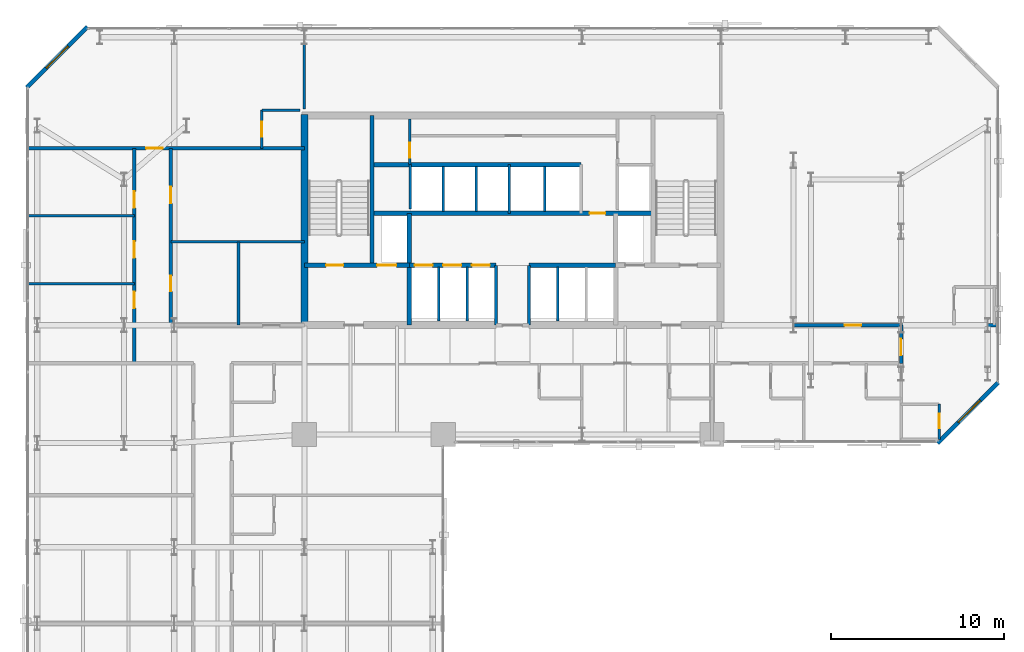
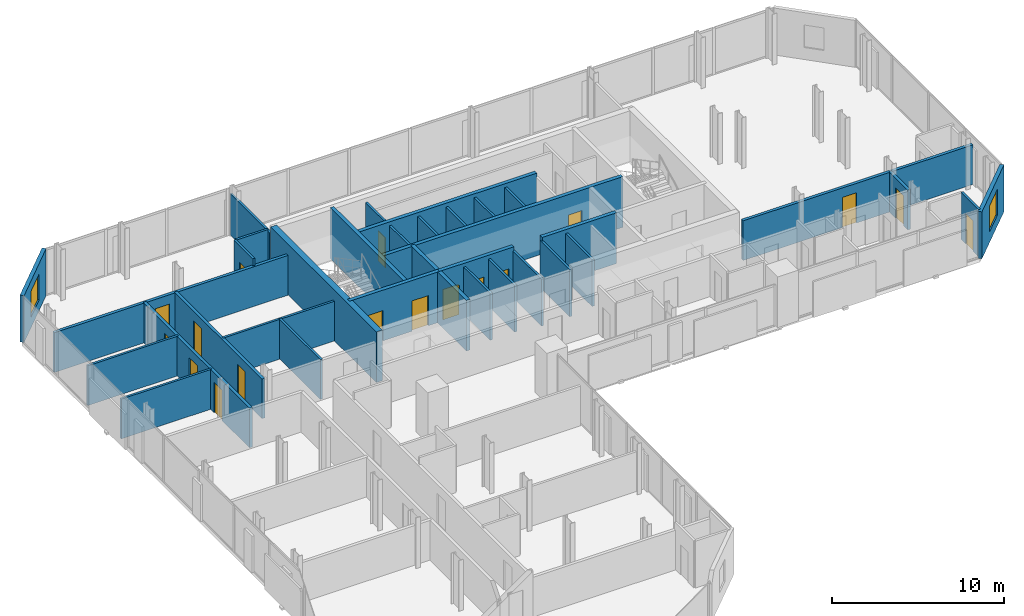
# One storey, part 29 of 32: 34 walls, 17 doors, 2 windows, 19 openings.
"""IFC4 building model written with IfcOpenShell, lengths in metres."""

from ifc_helpers import new_model, si_unit, direction, frame, frame_2d, origin, place, context, subcontext, project, spatial, rectangle, extrude, material, layer, layer_set, type_object, element, fill, save


model = new_model("IFC4")

# Units and contexts
model_context = context("Model", 3, precision=1e-05, world=origin(), true_north=direction((0.0, 1.0)))
body_context = subcontext(model_context, "Body", "Model", "MODEL_VIEW")
ifc_project = project(units=[si_unit("LENGTHUNIT", "METRE"), si_unit("AREAUNIT", "SQUARE_METRE"), si_unit("VOLUMEUNIT", "CUBIC_METRE"), si_unit("PLANEANGLEUNIT", "RADIAN"), si_unit("MASSUNIT", "GRAM", prefix="KILO")], contexts=[model_context])

# Site, building, storey
site_placement = place(None, origin())
site = spatial("IfcSite", under=ifc_project, at=site_placement, CompositionType="ELEMENT")
building_placement = place(site_placement, origin())
building = spatial("IfcBuilding", under=site, at=building_placement, Name="Catumbela Crestline Tower", CompositionType="ELEMENT")
storey_placement = place(building_placement, frame((0.0, 0.0, 61.8)))
storey = spatial("IfcBuildingStorey", under=building, at=storey_placement, Name="L15", CompositionType="ELEMENT", Elevation=61.8)

# Walls
ifc_material_1 = material(Name="Concrete C50/60", Category="concrete")
ifc_layer_1 = layer(ifc_material_1, 0.25, Name="Concrete C50/60")
ifc_layer_set_1 = layer_set([ifc_layer_1], Name="Concrete C50/60")
wall_type_1 = type_object("IfcWallType", Name="CW-250D", PredefinedType="SHEAR", material=ifc_layer_set_1)
wall_1_placement = place(storey_placement, frame((19.9, 34.25, 0.0), z_axis=(0.0, 0.0, 1.0), x_axis=(0.0, 1.0, 0.0)))
element("IfcWall", 1, at=wall_1_placement, inside=storey, type_object=wall_type_1, Name="L15 Structural Core Shear Wall WWEB", PredefinedType="SHEAR", context=body_context, shape_type="SweptSolid", body=[
    extrude(rectangle(XDim=8.65, YDim=0.25, at=frame_2d((4.325, 0.0))), origin(), (0.0, 0.0, 1.0), 3.6),
])
wall_2_placement = place(storey_placement, frame((22.05, 30.8, 0.0), z_axis=(0.0, 0.0, 1.0), x_axis=(0.0, 1.0, 0.0)))
element("IfcWall", 2, at=wall_2_placement, inside=storey, type_object=wall_type_1, Name="L15 Structural Core Shear Wall FFW", PredefinedType="SHEAR", context=body_context, shape_type="SweptSolid", body=[
    extrude(rectangle(XDim=6.45, YDim=0.25, at=frame_2d((3.225, 0.0))), origin(), (0.0, 0.0, 1.0), 3.6),
])

# Wall, openings, doors
wall_3_placement = place(storey_placement, frame((16.0, 34.25, 0.0), z_axis=(0.0, 0.0, 1.0), x_axis=(1.0, 0.0, 0.0)))
wall_3 = element("IfcWall", 3, at=wall_3_placement, inside=storey, type_object=wall_type_1, Name="L15 Structural Core Shear Wall ST1S", PredefinedType="SHEAR", context=body_context, shape_type="SweptSolid", body=[
    extrude(rectangle(XDim=6.05, YDim=0.25, at=frame_2d((3.025, 0.0))), origin(), (0.0, 0.0, 1.0), 3.6),
])
opening_1_placement = place(wall_3_placement, frame((1.25, 0.0, 0.0)))
opening_1 = element("IfcOpeningElement", 4, at=opening_1_placement, cuts=wall_3, Name="Opening DF9-100", PredefinedType="OPENING", context=body_context, shape_type="SweptSolid", body=[
    extrude(rectangle(XDim=1.0, YDim=2.15, at=frame_2d((0.5, 1.075))), frame((0.0, 0.135, 0.0), z_axis=(0.0, -1.0, 0.0), x_axis=(1.0, 0.0, 0.0)), (0.0, 0.0, 1.0), 0.27),
])
opening_2_placement = place(wall_3_placement, frame((4.2, 0.0, 0.0)))
opening_2 = element("IfcOpeningElement", 5, at=opening_2_placement, cuts=wall_3, Name="Opening LD-110", PredefinedType="OPENING", context=body_context, shape_type="SweptSolid", body=[
    extrude(rectangle(XDim=1.1, YDim=2.15, at=frame_2d((0.55, 1.075))), frame((0.0, 0.135, 0.0), z_axis=(0.0, -1.0, 0.0), x_axis=(1.0, 0.0, 0.0)), (0.0, 0.0, 1.0), 0.27),
])
ifc_material_2 = material(Name="Stainless steel EN 1.4401", Category="steel")
door_type_1 = type_object("IfcDoorType", Name="DF9-100", OperationType="NOTDEFINED", PredefinedType="DOOR", material=ifc_material_2)
door_1_placement = place(opening_1_placement, origin())
door_1 = element("IfcDoor", 6, at=door_1_placement, inside=storey, type_object=door_type_1, Name="L15 Interior Door DR-L15-ST01", OperationType="SINGLE_SWING_LEFT", OverallHeight=2.15, OverallWidth=1.0, PredefinedType="DOOR", context=body_context, shape_type="SweptSolid", body=[
    extrude(rectangle(XDim=1.0, YDim=2.15, at=frame_2d((0.5, 1.075))), frame((0.0, 0.025, 0.0), z_axis=(0.0, -1.0, 0.0), x_axis=(1.0, 0.0, 0.0)), (0.0, 0.0, 1.0), 0.05),
])
fill(opening_1, door_1)
door_type_2 = type_object("IfcDoorType", Name="LD-110", OperationType="NOTDEFINED", PredefinedType="DOOR", material=ifc_material_2)
door_2_placement = place(opening_2_placement, origin())
door_2 = element("IfcDoor", 7, at=door_2_placement, inside=storey, type_object=door_type_2, Name="L15 Lift Landing Sliding Door FL-01", OperationType="DOUBLE_DOOR_SLIDING", OverallHeight=2.15, OverallWidth=1.1, PredefinedType="DOOR", context=body_context, shape_type="SweptSolid", body=[
    extrude(rectangle(XDim=1.1, YDim=2.15, at=frame_2d((0.55, 1.075))), frame((0.0, 0.025, 0.0), z_axis=(0.0, -1.0, 0.0), x_axis=(1.0, 0.0, 0.0)), (0.0, 0.0, 1.0), 0.05),
])
fill(opening_2, door_2)

wall_4_placement = place(storey_placement, frame((22.05, 34.25, 0.0), z_axis=(0.0, 0.0, 1.0), x_axis=(1.0, 0.0, 0.0)))
wall_4 = element("IfcWall", 8, at=wall_4_placement, inside=storey, type_object=wall_type_1, Name="L15 Structural Core Shear Wall LIFTS-W", PredefinedType="SHEAR", context=body_context, shape_type="SweptSolid", body=[
    extrude(rectangle(XDim=5.0, YDim=0.25, at=frame_2d((2.5, 0.0))), origin(), (0.0, 0.0, 1.0), 3.6),
])
opening_3_placement = place(wall_4_placement, frame((0.3, 0.0, 0.0)))
opening_3 = element("IfcOpeningElement", 9, at=opening_3_placement, cuts=wall_4, Name="Opening LD-105", PredefinedType="OPENING", context=body_context, shape_type="SweptSolid", body=[
    extrude(rectangle(XDim=1.05, YDim=2.15, at=frame_2d((0.525, 1.075))), frame((0.0, 0.135, 0.0), z_axis=(0.0, -1.0, 0.0), x_axis=(1.0, 0.0, 0.0)), (0.0, 0.0, 1.0), 0.27),
])
opening_4_placement = place(wall_4_placement, frame((1.95, 0.0, 0.0)))
opening_4 = element("IfcOpeningElement", 10, at=opening_4_placement, cuts=wall_4, Name="Opening LD-105", PredefinedType="OPENING", context=body_context, shape_type="SweptSolid", body=[
    extrude(rectangle(XDim=1.05, YDim=2.15, at=frame_2d((0.525, 1.075))), frame((0.0, 0.135, 0.0), z_axis=(0.0, -1.0, 0.0), x_axis=(1.0, 0.0, 0.0)), (0.0, 0.0, 1.0), 0.27),
])
opening_5_placement = place(wall_4_placement, frame((3.6, 0.0, 0.0)))
opening_5 = element("IfcOpeningElement", 11, at=opening_5_placement, cuts=wall_4, Name="Opening LD-105", PredefinedType="OPENING", context=body_context, shape_type="SweptSolid", body=[
    extrude(rectangle(XDim=1.05, YDim=2.15, at=frame_2d((0.525, 1.075))), frame((0.0, 0.135, 0.0), z_axis=(0.0, -1.0, 0.0), x_axis=(1.0, 0.0, 0.0)), (0.0, 0.0, 1.0), 0.27),
])
door_type_3 = type_object("IfcDoorType", Name="LD-105", OperationType="NOTDEFINED", PredefinedType="DOOR", material=ifc_material_2)
door_3_placement = place(opening_3_placement, origin())
door_3 = element("IfcDoor", 12, at=door_3_placement, inside=storey, type_object=door_type_3, Name="L15 Lift Landing Sliding Door PL-L1", OperationType="DOUBLE_DOOR_SLIDING", OverallHeight=2.15, OverallWidth=1.05, PredefinedType="DOOR", context=body_context, shape_type="SweptSolid", body=[
    extrude(rectangle(XDim=1.05, YDim=2.15, at=frame_2d((0.525, 1.075))), frame((0.0, 0.025, 0.0), z_axis=(0.0, -1.0, 0.0), x_axis=(1.0, 0.0, 0.0)), (0.0, 0.0, 1.0), 0.05),
])
fill(opening_3, door_3)
door_4_placement = place(opening_4_placement, origin())
door_4 = element("IfcDoor", 13, at=door_4_placement, inside=storey, type_object=door_type_3, Name="L15 Lift Landing Sliding Door PL-L2", OperationType="DOUBLE_DOOR_SLIDING", OverallHeight=2.15, OverallWidth=1.05, PredefinedType="DOOR", context=body_context, shape_type="SweptSolid", body=[
    extrude(rectangle(XDim=1.05, YDim=2.15, at=frame_2d((0.525, 1.075))), frame((0.0, 0.025, 0.0), z_axis=(0.0, -1.0, 0.0), x_axis=(1.0, 0.0, 0.0)), (0.0, 0.0, 1.0), 0.05),
])
fill(opening_4, door_4)
door_5_placement = place(opening_5_placement, origin())
door_5 = element("IfcDoor", 14, at=door_5_placement, inside=storey, type_object=door_type_3, Name="L15 Lift Landing Sliding Door PL-L3", OperationType="DOUBLE_DOOR_SLIDING", OverallHeight=2.15, OverallWidth=1.05, PredefinedType="DOOR", context=body_context, shape_type="SweptSolid", body=[
    extrude(rectangle(XDim=1.05, YDim=2.15, at=frame_2d((0.525, 1.075))), frame((0.0, 0.025, 0.0), z_axis=(0.0, -1.0, 0.0), x_axis=(1.0, 0.0, 0.0)), (0.0, 0.0, 1.0), 0.05),
])
fill(opening_5, door_5)

# Wall
wall_5_placement = place(storey_placement, frame((28.95, 34.25, 0.0), z_axis=(0.0, 0.0, 1.0), x_axis=(1.0, 0.0, 0.0)))
element("IfcWall", 15, at=wall_5_placement, inside=storey, type_object=wall_type_1, Name="L15 Structural Core Shear Wall LIFTS-E", PredefinedType="SHEAR", context=body_context, shape_type="SweptSolid", body=[
    extrude(rectangle(XDim=5.0, YDim=0.25, at=frame_2d((2.5, 0.0))), origin(), (0.0, 0.0, 1.0), 3.6),
])

# Wall, opening, door
wall_6_placement = place(storey_placement, frame((19.9, 37.25, 0.0), z_axis=(0.0, 0.0, 1.0), x_axis=(1.0, 0.0, 0.0)))
wall_6 = element("IfcWall", 16, at=wall_6_placement, inside=storey, type_object=wall_type_1, Name="L15 Structural Core Shear Wall LIFTN", PredefinedType="SHEAR", context=body_context, shape_type="SweptSolid", body=[
    extrude(rectangle(XDim=16.2, YDim=0.25, at=frame_2d((8.1, 0.0))), origin(), (0.0, 0.0, 1.0), 3.6),
])
opening_6_placement = place(wall_6_placement, frame((12.55, 0.0, 0.0)))
opening_6 = element("IfcOpeningElement", 17, at=opening_6_placement, cuts=wall_6, Name="Opening DF9-090", PredefinedType="OPENING", context=body_context, shape_type="SweptSolid", body=[
    extrude(rectangle(XDim=0.9, YDim=2.15, at=frame_2d((0.45, 1.075))), frame((0.0, 0.135, 0.0), z_axis=(0.0, -1.0, 0.0), x_axis=(1.0, 0.0, 0.0)), (0.0, 0.0, 1.0), 0.27),
])
door_type_4 = type_object("IfcDoorType", Name="DF9-090", OperationType="NOTDEFINED", PredefinedType="DOOR", material=ifc_material_2)
door_6_placement = place(opening_6_placement, origin())
door_6 = element("IfcDoor", 18, at=door_6_placement, inside=storey, type_object=door_type_4, Name="L15 Interior Door DR-L15-CPAS1", OperationType="SINGLE_SWING_LEFT", OverallHeight=2.15, OverallWidth=0.9, PredefinedType="DOOR", context=body_context, shape_type="SweptSolid", body=[
    extrude(rectangle(XDim=0.9, YDim=2.15, at=frame_2d((0.45, 1.075))), frame((0.0, 0.025, 0.0), z_axis=(0.0, -1.0, 0.0), x_axis=(1.0, 0.0, 0.0)), (0.0, 0.0, 1.0), 0.05),
])
fill(opening_6, door_6)

# Walls
wall_7_placement = place(storey_placement, frame((19.9, 40.05, 0.0), z_axis=(0.0, 0.0, 1.0), x_axis=(1.0, 0.0, 0.0)))
element("IfcWall", 19, at=wall_7_placement, inside=storey, type_object=wall_type_1, Name="L15 Structural Core Shear Wall COREN", PredefinedType="SHEAR", context=body_context, shape_type="SweptSolid", body=[
    extrude(rectangle(XDim=12.05, YDim=0.25, at=frame_2d((6.025, 0.0))), origin(), (0.0, 0.0, 1.0), 3.6),
])
ifc_material_3 = material(Name="Concrete C60/75", Category="concrete")
ifc_layer_2 = layer(ifc_material_3, 0.4, Name="Concrete C60/75")
ifc_layer_set_2 = layer_set([ifc_layer_2], Name="Concrete C60/75")
wall_type_2 = type_object("IfcWallType", Name="CW-400A", PredefinedType="SHEAR", material=ifc_layer_set_2)
wall_8_placement = place(storey_placement, frame((16.0, 30.65, 0.0), z_axis=(0.0, 0.0, 1.0), x_axis=(0.0, 1.0, 0.0)))
element("IfcWall", 20, at=wall_8_placement, inside=storey, type_object=wall_type_2, Name="L15 Structural Core Shear Wall W", PredefinedType="SHEAR", context=body_context, shape_type="SweptSolid", body=[
    extrude(rectangle(XDim=12.3, YDim=0.4, at=frame_2d((6.15, 0.0))), origin(), (0.0, 0.0, 1.0), 3.6),
])

# Wall, openings, doors
ifc_material_4 = material(Name="Acoustic gypsum and mineral-wool partition")
ifc_layer_3 = layer(ifc_material_4, 0.2, Name="Acoustic gypsum and mineral-wool partition")
ifc_layer_set_3 = layer_set([ifc_layer_3], Name="Acoustic gypsum and mineral-wool partition")
wall_type_3 = type_object("IfcWallType", Name="WC-200", PredefinedType="PARTITIONING", material=ifc_layer_set_3)
wall_9_placement = place(storey_placement, frame((8.3, 30.8, 0.0), z_axis=(0.0, 0.0, 1.0), x_axis=(0.0, 1.0, 0.0)))
wall_9 = element("IfcWall", 21, at=wall_9_placement, inside=storey, type_object=wall_type_3, Name="L15 Interior Partition PW-L15-AWC-W", PredefinedType="PARTITIONING", context=body_context, shape_type="SweptSolid", body=[
    extrude(rectangle(XDim=10.2, YDim=0.2, at=frame_2d((5.1, 0.0))), origin(), (0.0, 0.0, 1.0), 2.82),
])
opening_7_placement = place(wall_9_placement, frame((1.95, 0.0, 0.0)))
opening_7 = element("IfcOpeningElement", 22, at=opening_7_placement, cuts=wall_9, Name="Opening DI-090", PredefinedType="OPENING", context=body_context, shape_type="SweptSolid", body=[
    extrude(rectangle(XDim=0.9, YDim=2.15, at=frame_2d((0.45, 1.075))), frame((0.0, 0.11, 0.0), z_axis=(0.0, -1.0, 0.0), x_axis=(1.0, 0.0, 0.0)), (0.0, 0.0, 1.0), 0.22),
])
opening_8_placement = place(wall_9_placement, frame((7.025, 0.0, 0.0)))
opening_8 = element("IfcOpeningElement", 23, at=opening_8_placement, cuts=wall_9, Name="Opening DF6-095", PredefinedType="OPENING", context=body_context, shape_type="SweptSolid", body=[
    extrude(rectangle(XDim=0.95, YDim=2.15, at=frame_2d((0.475, 1.075))), frame((0.0, 0.11, 0.0), z_axis=(0.0, -1.0, 0.0), x_axis=(1.0, 0.0, 0.0)), (0.0, 0.0, 1.0), 0.22),
])
ifc_material_5 = material(Name="Aluminium alloy AW-6060-T66", Category="aluminium")
door_type_5 = type_object("IfcDoorType", Name="DF6-095", OperationType="NOTDEFINED", PredefinedType="DOOR", material=ifc_material_5)
door_7_placement = place(opening_8_placement, origin())
door_7 = element("IfcDoor", 24, at=door_7_placement, inside=storey, type_object=door_type_5, Name="L15 Interior Door DR-L15-TEA-ENT", OperationType="SINGLE_SWING_LEFT", OverallHeight=2.15, OverallWidth=0.95, PredefinedType="DOOR", context=body_context, shape_type="SweptSolid", body=[
    extrude(rectangle(XDim=0.95, YDim=2.15, at=frame_2d((0.475, 1.075))), frame((0.0, 0.025, 0.0), z_axis=(0.0, -1.0, 0.0), x_axis=(1.0, 0.0, 0.0)), (0.0, 0.0, 1.0), 0.05),
])
fill(opening_8, door_7)
door_type_6 = type_object("IfcDoorType", Name="DI-090", OperationType="NOTDEFINED", PredefinedType="DOOR", material=ifc_material_5)
door_8_placement = place(opening_7_placement, origin())
door_8 = element("IfcDoor", 25, at=door_8_placement, inside=storey, type_object=door_type_6, Name="L15 Interior Door DR-L15-STWC", OperationType="SINGLE_SWING_RIGHT", OverallHeight=2.15, OverallWidth=0.9, PredefinedType="DOOR", context=body_context, shape_type="SweptSolid", body=[
    extrude(rectangle(XDim=0.9, YDim=2.15, at=frame_2d((0.45, 1.075))), frame((0.0, 0.025, 0.0), z_axis=(0.0, -1.0, 0.0), x_axis=(1.0, 0.0, 0.0)), (0.0, 0.0, 1.0), 0.05),
])
fill(opening_7, door_8)

# Wall, opening, door
wall_10_placement = place(storey_placement, frame((0.1, 41.0, 0.0), z_axis=(0.0, 0.0, 1.0), x_axis=(1.0, 0.0, 0.0)))
wall_10 = element("IfcWall", 26, at=wall_10_placement, inside=storey, type_object=wall_type_3, Name="L15 Interior Partition PW-L15-NWTOP-ENT", PredefinedType="PARTITIONING", context=body_context, shape_type="SweptSolid", body=[
    extrude(rectangle(XDim=15.9, YDim=0.2, at=frame_2d((7.95, 0.0))), origin(), (0.0, 0.0, 1.0), 2.82),
])
opening_9_placement = place(wall_10_placement, frame((6.7788, 0.0, 0.0)))
opening_9 = element("IfcOpeningElement", 27, at=opening_9_placement, cuts=wall_10, Name="Opening DF6-095", PredefinedType="OPENING", context=body_context, shape_type="SweptSolid", body=[
    extrude(rectangle(XDim=0.95, YDim=2.15, at=frame_2d((0.475, 1.075))), frame((0.0, 0.11, 0.0), z_axis=(0.0, -1.0, 0.0), x_axis=(1.0, 0.0, 0.0)), (0.0, 0.0, 1.0), 0.22),
])
door_9_placement = place(opening_9_placement, origin())
door_9 = element("IfcDoor", 28, at=door_9_placement, inside=storey, type_object=door_type_5, Name="L15 Interior Door DR-L15-NWTOP-ENT", OperationType="SINGLE_SWING_LEFT", OverallHeight=2.15, OverallWidth=0.95, PredefinedType="DOOR", context=body_context, shape_type="SweptSolid", body=[
    extrude(rectangle(XDim=0.95, YDim=2.15, at=frame_2d((0.475, 1.075))), frame((0.0, 0.025, 0.0), z_axis=(0.0, -1.0, 0.0), x_axis=(1.0, 0.0, 0.0)), (0.0, 0.0, 1.0), 0.05),
])
fill(opening_9, door_9)

# Wall, openings, doors
wall_11_placement = place(storey_placement, frame((6.2, 28.6, 0.0), z_axis=(0.0, 0.0, 1.0), x_axis=(0.0, 1.0, 0.0)))
wall_11 = element("IfcWall", 29, at=wall_11_placement, inside=storey, type_object=wall_type_3, Name="L15 Interior Partition PW-L15-TR1-ENT", PredefinedType="PARTITIONING", context=body_context, shape_type="SweptSolid", body=[
    extrude(rectangle(XDim=12.4, YDim=0.2, at=frame_2d((6.2, 0.0))), origin(), (0.0, 0.0, 1.0), 2.82),
])
opening_10_placement = place(wall_11_placement, frame((3.1818, 0.0, 0.0)))
opening_10 = element("IfcOpeningElement", 30, at=opening_10_placement, cuts=wall_11, Name="Opening DF6-095", PredefinedType="OPENING", context=body_context, shape_type="SweptSolid", body=[
    extrude(rectangle(XDim=0.95, YDim=2.15, at=frame_2d((0.475, 1.075))), frame((0.0, 0.11, 0.0), z_axis=(0.0, -1.0, 0.0), x_axis=(1.0, 0.0, 0.0)), (0.0, 0.0, 1.0), 0.22),
])
opening_11_placement = place(wall_11_placement, frame((6.075, 0.0, 0.0)))
opening_11 = element("IfcOpeningElement", 31, at=opening_11_placement, cuts=wall_11, Name="Opening DF6-095", PredefinedType="OPENING", context=body_context, shape_type="SweptSolid", body=[
    extrude(rectangle(XDim=0.95, YDim=2.15, at=frame_2d((0.475, 1.075))), frame((0.0, 0.11, 0.0), z_axis=(0.0, -1.0, 0.0), x_axis=(1.0, 0.0, 0.0)), (0.0, 0.0, 1.0), 0.22),
])
opening_12_placement = place(wall_11_placement, frame((8.966, 0.0, 0.0)))
opening_12 = element("IfcOpeningElement", 32, at=opening_12_placement, cuts=wall_11, Name="Opening DF6-095", PredefinedType="OPENING", context=body_context, shape_type="SweptSolid", body=[
    extrude(rectangle(XDim=0.95, YDim=2.15, at=frame_2d((0.475, 1.075))), frame((0.0, 0.11, 0.0), z_axis=(0.0, -1.0, 0.0), x_axis=(1.0, 0.0, 0.0)), (0.0, 0.0, 1.0), 0.22),
])
door_10_placement = place(opening_10_placement, origin())
door_10 = element("IfcDoor", 33, at=door_10_placement, inside=storey, type_object=door_type_5, Name="L15 Interior Door DR-L15-TR1-ENT", OperationType="SINGLE_SWING_RIGHT", OverallHeight=2.15, OverallWidth=0.95, PredefinedType="DOOR", context=body_context, shape_type="SweptSolid", body=[
    extrude(rectangle(XDim=0.95, YDim=2.15, at=frame_2d((0.475, 1.075))), frame((0.0, 0.025, 0.0), z_axis=(0.0, -1.0, 0.0), x_axis=(1.0, 0.0, 0.0)), (0.0, 0.0, 1.0), 0.05),
])
fill(opening_10, door_10)
door_11_placement = place(opening_11_placement, origin())
door_11 = element("IfcDoor", 34, at=door_11_placement, inside=storey, type_object=door_type_5, Name="L15 Interior Door DR-L15-TR2-ENT", OperationType="SINGLE_SWING_LEFT", OverallHeight=2.15, OverallWidth=0.95, PredefinedType="DOOR", context=body_context, shape_type="SweptSolid", body=[
    extrude(rectangle(XDim=0.95, YDim=2.15, at=frame_2d((0.475, 1.075))), frame((0.0, 0.025, 0.0), z_axis=(0.0, -1.0, 0.0), x_axis=(1.0, 0.0, 0.0)), (0.0, 0.0, 1.0), 0.05),
])
fill(opening_11, door_11)
door_12_placement = place(opening_12_placement, origin())
door_12 = element("IfcDoor", 35, at=door_12_placement, inside=storey, type_object=door_type_5, Name="L15 Interior Door DR-L15-TR3-ENT", OperationType="SINGLE_SWING_LEFT", OverallHeight=2.15, OverallWidth=0.95, PredefinedType="DOOR", context=body_context, shape_type="SweptSolid", body=[
    extrude(rectangle(XDim=0.95, YDim=2.15, at=frame_2d((0.475, 1.075))), frame((0.0, 0.025, 0.0), z_axis=(0.0, -1.0, 0.0), x_axis=(1.0, 0.0, 0.0)), (0.0, 0.0, 1.0), 0.05),
])
fill(opening_12, door_12)

# Wall, opening, door
wall_12_placement = place(storey_placement, frame((40.47, 30.8, 0.0), z_axis=(0.0, 0.0, 1.0), x_axis=(1.0, 0.0, 0.0)))
wall_12 = element("IfcWall", 36, at=wall_12_placement, inside=storey, type_object=wall_type_3, Name="L15 Interior Partition PW-L15-NES-ENT", PredefinedType="PARTITIONING", context=body_context, shape_type="SweptSolid", body=[
    extrude(rectangle(XDim=15.43, YDim=0.2, at=frame_2d((7.715, 0.0))), origin(), (0.0, 0.0, 1.0), 2.82),
])
opening_13_placement = place(wall_12_placement, frame((6.6725, 0.0, 0.0)))
opening_13 = element("IfcOpeningElement", 37, at=opening_13_placement, cuts=wall_12, Name="Opening DF6-095", PredefinedType="OPENING", context=body_context, shape_type="SweptSolid", body=[
    extrude(rectangle(XDim=0.95, YDim=2.15, at=frame_2d((0.475, 1.075))), frame((0.0, 0.11, 0.0), z_axis=(0.0, -1.0, 0.0), x_axis=(1.0, 0.0, 0.0)), (0.0, 0.0, 1.0), 0.22),
])
door_13_placement = place(opening_13_placement, origin())
door_13 = element("IfcDoor", 38, at=door_13_placement, inside=storey, type_object=door_type_5, Name="L15 Interior Door DR-L15-NES-ENT", OperationType="SINGLE_SWING_LEFT", OverallHeight=2.15, OverallWidth=0.95, PredefinedType="DOOR", context=body_context, shape_type="SweptSolid", body=[
    extrude(rectangle(XDim=0.95, YDim=2.15, at=frame_2d((0.475, 1.075))), frame((0.0, 0.025, 0.0), z_axis=(0.0, -1.0, 0.0), x_axis=(1.0, 0.0, 0.0)), (0.0, 0.0, 1.0), 0.05),
])
fill(opening_13, door_13)

wall_13_placement = place(storey_placement, frame((50.4, 28.6, 0.0), z_axis=(0.0, 0.0, 1.0), x_axis=(0.0, 1.0, 0.0)))
wall_13 = element("IfcWall", 39, at=wall_13_placement, inside=storey, type_object=wall_type_3, Name="L15 Interior Partition PW-L15-NESE-ENT", PredefinedType="PARTITIONING", context=body_context, shape_type="SweptSolid", body=[
    extrude(rectangle(XDim=2.2, YDim=0.2, at=frame_2d((1.1, 0.0))), origin(), (0.0, 0.0, 1.0), 2.82),
])
opening_14_placement = place(wall_13_placement, frame((0.46, 0.0, 0.0)))
opening_14 = element("IfcOpeningElement", 40, at=opening_14_placement, cuts=wall_13, Name="Opening DF6-095", PredefinedType="OPENING", context=body_context, shape_type="SweptSolid", body=[
    extrude(rectangle(XDim=0.95, YDim=2.15, at=frame_2d((0.475, 1.075))), frame((0.0, 0.11, 0.0), z_axis=(0.0, -1.0, 0.0), x_axis=(1.0, 0.0, 0.0)), (0.0, 0.0, 1.0), 0.22),
])
door_14_placement = place(opening_14_placement, origin())
door_14 = element("IfcDoor", 41, at=door_14_placement, inside=storey, type_object=door_type_5, Name="L15 Interior Door DR-L15-NESE-ENT", OperationType="SINGLE_SWING_RIGHT", OverallHeight=2.15, OverallWidth=0.95, PredefinedType="DOOR", context=body_context, shape_type="SweptSolid", body=[
    extrude(rectangle(XDim=0.95, YDim=2.15, at=frame_2d((0.475, 1.075))), frame((0.0, 0.025, 0.0), z_axis=(0.0, -1.0, 0.0), x_axis=(1.0, 0.0, 0.0)), (0.0, 0.0, 1.0), 0.05),
])
fill(opening_14, door_14)

# Wall, opening, window
ifc_material_6 = material(Name="Angolan grey-ochre granite", Category="masonry")
ifc_layer_4 = layer(ifc_material_6, 0.25, Name="Angolan grey-ochre granite")
ifc_layer_set_4 = layer_set([ifc_layer_4], Name="Angolan grey-ochre granite")
wall_type_4 = type_object("IfcWallType", Name="WE-250", PredefinedType="STANDARD", material=ifc_layer_set_4)
wall_14_placement = place(storey_placement, frame((52.5, 24.0, 0.0), z_axis=(0.0, 0.0, 1.0), x_axis=(0.707106781187, 0.707106781187, 0.0)))
wall_14 = element("IfcWall", 42, at=wall_14_placement, inside=storey, type_object=wall_type_4, Name="L15 Granite Punched Window Wall 4-1", PredefinedType="STANDARD", context=body_context, shape_type="SweptSolid", body=[
    extrude(rectangle(XDim=4.9497, YDim=0.25, at=frame_2d((2.4748, 0.0))), origin(), (0.0, 0.0, 1.0), 3.33),
])
opening_15_placement = place(wall_14_placement, frame((1.6851, 0.0, 0.75)))
opening_15 = element("IfcOpeningElement", 43, at=opening_15_placement, cuts=wall_14, Name="Opening WN-01", PredefinedType="OPENING", context=body_context, shape_type="SweptSolid", body=[
    extrude(rectangle(XDim=1.8, YDim=1.85, at=frame_2d((0.9, 0.925))), frame((0.0, 0.135, 0.0), z_axis=(0.0, -1.0, 0.0), x_axis=(1.0, 0.0, 0.0)), (0.0, 0.0, 1.0), 0.27),
])
ifc_material_7 = material(Name="Low-E laminated solar-control double glazing", Category="glass")
window_type = type_object("IfcWindowType", Name="WF-1800", PartitioningType="SINGLE_PANEL", PredefinedType="WINDOW", material=ifc_material_7)
window_1_placement = place(opening_15_placement, origin())
window_1 = element("IfcWindow", 44, at=window_1_placement, inside=storey, type_object=window_type, Name="L15 Facade Vision Window 99", OverallHeight=1.85, OverallWidth=1.8, PartitioningType="SINGLE_PANEL", PredefinedType="WINDOW", context=body_context, shape_type="SweptSolid", body=[
    extrude(rectangle(XDim=1.8, YDim=1.85, at=frame_2d((0.9, 0.925))), frame((0.0, 0.03, 0.0), z_axis=(0.0, -1.0, 0.0), x_axis=(1.0, 0.0, 0.0)), (0.0, 0.0, 1.0), 0.06),
])
fill(opening_15, window_1)

wall_15_placement = place(storey_placement, frame((3.5, 48.0, 0.0), z_axis=(0.0, 0.0, 1.0), x_axis=(-0.707106781187, -0.707106781187, 0.0)))
wall_15 = element("IfcWall", 45, at=wall_15_placement, inside=storey, type_object=wall_type_4, Name="L15 Granite Punched Window Wall 8-1", PredefinedType="STANDARD", context=body_context, shape_type="SweptSolid", body=[
    extrude(rectangle(XDim=4.9497, YDim=0.25, at=frame_2d((2.4748, 0.0))), origin(), (0.0, 0.0, 1.0), 3.33),
])
opening_16_placement = place(wall_15_placement, frame((1.5749, 0.0, 0.75)))
opening_16 = element("IfcOpeningElement", 46, at=opening_16_placement, cuts=wall_15, Name="Opening WN-01", PredefinedType="OPENING", context=body_context, shape_type="SweptSolid", body=[
    extrude(rectangle(XDim=1.8, YDim=1.85, at=frame_2d((0.9, 0.925))), frame((0.0, 0.135, 0.0), z_axis=(0.0, -1.0, 0.0), x_axis=(1.0, 0.0, 0.0)), (0.0, 0.0, 1.0), 0.27),
])
window_2_placement = place(opening_16_placement, origin())
window_2 = element("IfcWindow", 47, at=window_2_placement, inside=storey, type_object=window_type, Name="L15 Facade Vision Window 101", OverallHeight=1.85, OverallWidth=1.8, PartitioningType="SINGLE_PANEL", PredefinedType="WINDOW", context=body_context, shape_type="SweptSolid", body=[
    extrude(rectangle(XDim=1.8, YDim=1.85, at=frame_2d((0.9, 0.925))), frame((0.0, 0.03, 0.0), z_axis=(0.0, -1.0, 0.0), x_axis=(1.0, 0.0, 0.0)), (0.0, 0.0, 1.0), 0.06),
])
fill(opening_16, window_2)

# Wall, opening, door
ifc_layer_5 = layer(ifc_material_4, 0.15, Name="Acoustic gypsum and mineral-wool partition")
ifc_layer_set_5 = layer_set([ifc_layer_5], Name="Acoustic gypsum and mineral-wool partition")
wall_type_5 = type_object("IfcWallType", Name="WP-150", PredefinedType="PARTITIONING", material=ifc_layer_set_5)
wall_16_placement = place(storey_placement, frame((22.08, 40.05, 0.0), z_axis=(0.0, 0.0, 1.0), x_axis=(0.0, 1.0, 0.0)))
wall_16 = element("IfcWall", 48, at=wall_16_placement, inside=storey, type_object=wall_type_5, Name="L15 Interior Partition PW-L15-CR-WCW", PredefinedType="PARTITIONING", context=body_context, shape_type="SweptSolid", body=[
    extrude(rectangle(XDim=2.63, YDim=0.15, at=frame_2d((1.315, 0.0))), origin(), (0.0, 0.0, 1.0), 3.33),
])
opening_17_placement = place(wall_16_placement, frame((0.41, 0.0, 0.0)))
opening_17 = element("IfcOpeningElement", 49, at=opening_17_placement, cuts=wall_16, Name="Opening DI-085", PredefinedType="OPENING", context=body_context, shape_type="SweptSolid", body=[
    extrude(rectangle(XDim=0.85, YDim=2.15, at=frame_2d((0.425, 1.075))), frame((0.0, 0.085, 0.0), z_axis=(0.0, -1.0, 0.0), x_axis=(1.0, 0.0, 0.0)), (0.0, 0.0, 1.0), 0.17),
])
door_type_7 = type_object("IfcDoorType", Name="DI-085", OperationType="NOTDEFINED", PredefinedType="DOOR", material=ifc_material_5)
door_15_placement = place(opening_17_placement, origin())
door_15 = element("IfcDoor", 50, at=door_15_placement, inside=storey, type_object=door_type_7, Name="L15 Interior Door DR-L15-CRWC", OperationType="SINGLE_SWING_LEFT", OverallHeight=2.15, OverallWidth=0.85, PredefinedType="DOOR", context=body_context, shape_type="SweptSolid", body=[
    extrude(rectangle(XDim=0.85, YDim=2.15, at=frame_2d((0.425, 1.075))), frame((0.0, 0.025, 0.0), z_axis=(0.0, -1.0, 0.0), x_axis=(1.0, 0.0, 0.0)), (0.0, 0.0, 1.0), 0.05),
])
fill(opening_17, door_15)

# Walls
wall_17_placement = place(storey_placement, frame((8.3, 35.6, 0.0), z_axis=(0.0, 0.0, 1.0), x_axis=(1.0, 0.0, 0.0)))
element("IfcWall", 51, at=wall_17_placement, inside=storey, type_object=wall_type_5, Name="L15 Interior Partition PW-L15-HK-N", PredefinedType="PARTITIONING", context=body_context, shape_type="SweptSolid", body=[
    extrude(rectangle(XDim=7.7, YDim=0.15, at=frame_2d((3.85, 0.0))), origin(), (0.0, 0.0, 1.0), 2.82),
])
wall_18_placement = place(storey_placement, frame((12.2, 30.8, 0.0), z_axis=(0.0, 0.0, 1.0), x_axis=(0.0, 1.0, 0.0)))
element("IfcWall", 52, at=wall_18_placement, inside=storey, type_object=wall_type_5, Name="L15 Interior Partition PW-L15-HK-M", PredefinedType="PARTITIONING", context=body_context, shape_type="SweptSolid", body=[
    extrude(rectangle(XDim=4.8, YDim=0.15, at=frame_2d((2.4, 0.0))), origin(), (0.0, 0.0, 1.0), 2.82),
])
wall_19_placement = place(storey_placement, frame((13.55, 43.2, 0.0), z_axis=(0.0, 0.0, 1.0), x_axis=(1.0, 0.0, 0.0)))
element("IfcWall", 53, at=wall_19_placement, inside=storey, type_object=wall_type_5, Name="L15 Interior Partition PW-L15-NWTOP-BHW", PredefinedType="PARTITIONING", context=body_context, shape_type="SweptSolid", body=[
    extrude(rectangle(XDim=2.1897, YDim=0.15, at=frame_2d((1.0949, 0.0))), origin(), (0.0, 0.0, 1.0), 3.33),
])

# Wall, opening, door
wall_20_placement = place(storey_placement, frame((13.55, 41.0, 0.0), z_axis=(0.0, 0.0, 1.0), x_axis=(0.0, 1.0, 0.0)))
wall_20 = element("IfcWall", 54, at=wall_20_placement, inside=storey, type_object=wall_type_5, Name="L15 Interior Partition PW-L15-NWTOP-BWW", PredefinedType="PARTITIONING", context=body_context, shape_type="SweptSolid", body=[
    extrude(rectangle(XDim=2.2, YDim=0.15, at=frame_2d((1.1, 0.0))), origin(), (0.0, 0.0, 1.0), 3.33),
])
opening_18_placement = place(wall_20_placement, frame((0.675, 0.0, 0.0)))
opening_18 = element("IfcOpeningElement", 55, at=opening_18_placement, cuts=wall_20, Name="Opening DI-085", PredefinedType="OPENING", context=body_context, shape_type="SweptSolid", body=[
    extrude(rectangle(XDim=0.85, YDim=2.15, at=frame_2d((0.425, 1.075))), frame((0.0, 0.085, 0.0), z_axis=(0.0, -1.0, 0.0), x_axis=(1.0, 0.0, 0.0)), (0.0, 0.0, 1.0), 0.17),
])
door_16_placement = place(opening_18_placement, origin())
door_16 = element("IfcDoor", 56, at=door_16_placement, inside=storey, type_object=door_type_7, Name="L15 Interior Door DR-L15-NWTOP-BTH", OperationType="SINGLE_SWING_RIGHT", OverallHeight=2.15, OverallWidth=0.85, PredefinedType="DOOR", context=body_context, shape_type="SweptSolid", body=[
    extrude(rectangle(XDim=0.85, YDim=2.15, at=frame_2d((0.425, 1.075))), frame((0.0, 0.025, 0.0), z_axis=(0.0, -1.0, 0.0), x_axis=(1.0, 0.0, 0.0)), (0.0, 0.0, 1.0), 0.05),
])
fill(opening_18, door_16)

# Walls
for number, where, z_axis, x_axis, name in (
    (57, (0.1, 33.2, 0.0), (0.0, 0.0, 1.0), (1.0, 0.0, 0.0), "L15 Interior Partition PW-L15-G3-1"),
    (58, (0.1, 37.1, 0.0), (0.0, 0.0, 1.0), (1.0, 0.0, 0.0), "L15 Interior Partition PW-L15-G3-2"),
):
    element("IfcWall", number, at=place(storey_placement, frame(where, z_axis=z_axis, x_axis=x_axis)), inside=storey, type_object=wall_type_5, Name=name, PredefinedType="PARTITIONING", context=body_context, shape_type="SweptSolid", body=[
        extrude(rectangle(XDim=6.1, YDim=0.15, at=frame_2d((3.05, 0.0))), origin(), (0.0, 0.0, 1.0), 2.82),
    ])
wall_21_placement = place(storey_placement, frame((16.0, 43.27, 0.0), z_axis=(0.0, 0.0, 1.0), x_axis=(0.0, 1.0, 0.0)))
element("IfcWall", 59, at=wall_21_placement, inside=storey, type_object=wall_type_5, Name="L15 Interior Partition PW-L15-NCF-W", PredefinedType="PARTITIONING", context=body_context, shape_type="SweptSolid", body=[
    extrude(rectangle(XDim=4.63, YDim=0.15, at=frame_2d((2.315, 0.0))), origin(), (0.0, 0.0, 1.0), 2.93),
])

# Wall, opening, door
wall_22_placement = place(storey_placement, frame((52.6, 24.2, 0.0), z_axis=(0.0, 0.0, 1.0), x_axis=(0.0, 1.0, 0.0)))
wall_22 = element("IfcWall", 60, at=wall_22_placement, inside=storey, type_object=wall_type_5, Name="L15 Interior Partition PW-L15-NESE-BEW", PredefinedType="PARTITIONING", context=body_context, shape_type="SweptSolid", body=[
    extrude(rectangle(XDim=2.05, YDim=0.15, at=frame_2d((1.025, 0.0))), origin(), (0.0, 0.0, 1.0), 3.33),
])
opening_19_placement = place(wall_22_placement, frame((0.6514, 0.0, 0.0)))
opening_19 = element("IfcOpeningElement", 61, at=opening_19_placement, cuts=wall_22, Name="Opening DI-085", PredefinedType="OPENING", context=body_context, shape_type="SweptSolid", body=[
    extrude(rectangle(XDim=0.85, YDim=2.15, at=frame_2d((0.425, 1.075))), frame((0.0, 0.085, 0.0), z_axis=(0.0, -1.0, 0.0), x_axis=(1.0, 0.0, 0.0)), (0.0, 0.0, 1.0), 0.17),
])
door_17_placement = place(opening_19_placement, origin())
door_17 = element("IfcDoor", 62, at=door_17_placement, inside=storey, type_object=door_type_7, Name="L15 Interior Door DR-L15-NESE-BTH", OperationType="SINGLE_SWING_LEFT", OverallHeight=2.15, OverallWidth=0.85, PredefinedType="DOOR", context=body_context, shape_type="SweptSolid", body=[
    extrude(rectangle(XDim=0.85, YDim=2.15, at=frame_2d((0.425, 1.075))), frame((0.0, 0.025, 0.0), z_axis=(0.0, -1.0, 0.0), x_axis=(1.0, 0.0, 0.0)), (0.0, 0.0, 1.0), 0.05),
])
fill(opening_19, door_17)

# Walls
ifc_layer_6 = layer(ifc_material_4, 0.15, Name="Acoustic gypsum and mineral-wool partition")
ifc_layer_set_6 = layer_set([ifc_layer_6], Name="Acoustic gypsum and mineral-wool partition")
wall_type_6 = type_object("IfcWallType", Name="WS-150", PredefinedType="PLUMBINGWALL", material=ifc_layer_set_6)
for number, where, z_axis, x_axis, name in (
    (63, (27.05, 30.8, 0.0), (0.0, 0.0, 1.0), (0.0, 1.0, 0.0), "L15 Interior Partition PW-L15-THRW"),
    (64, (28.95, 30.8, 0.0), (0.0, 0.0, 1.0), (0.0, 1.0, 0.0), "L15 Interior Partition PW-L15-THRE"),
):
    element("IfcWall", number, at=place(storey_placement, frame(where, z_axis=z_axis, x_axis=x_axis)), inside=storey, type_object=wall_type_6, Name=name, PredefinedType="PLUMBINGWALL", context=body_context, shape_type="SweptSolid", body=[
        extrude(rectangle(XDim=3.45, YDim=0.15, at=frame_2d((1.725, 0.0))), origin(), (0.0, 0.0, 1.0), 3.33),
    ])
for number, where, z_axis, x_axis, name in (
    (65, (23.75, 31.05, 0.0), (0.0, 0.0, 1.0), (0.0, 1.0, 0.0), "L15 Interior Partition PW-L15-SHL1"),
    (66, (25.4, 31.05, 0.0), (0.0, 0.0, 1.0), (0.0, 1.0, 0.0), "L15 Interior Partition PW-L15-SHL2"),
    (67, (30.6, 31.05, 0.0), (0.0, 0.0, 1.0), (0.0, 1.0, 0.0), "L15 Interior Partition PW-L15-SHM1"),
):
    element("IfcWall", number, at=place(storey_placement, frame(where, z_axis=z_axis, x_axis=x_axis)), inside=storey, type_object=wall_type_6, Name=name, PredefinedType="PLUMBINGWALL", context=body_context, shape_type="SweptSolid", body=[
        extrude(rectangle(XDim=3.1, YDim=0.15, at=frame_2d((1.55, 0.0))), origin(), (0.0, 0.0, 1.0), 3.33),
    ])
wall_23_placement = place(storey_placement, frame((22.1, 37.4897, 0.0), z_axis=(0.0, 0.0, 1.0), x_axis=(0.0, 1.0, 0.0)))
element("IfcWall", 68, at=wall_23_placement, inside=storey, type_object=wall_type_6, Name="L15 Interior Partition PW-L15-SHH0", PredefinedType="PLUMBINGWALL", context=body_context, shape_type="SweptSolid", body=[
    extrude(rectangle(XDim=2.5603, YDim=0.15, at=frame_2d((1.2801, 0.0))), origin(), (0.0, 0.0, 1.0), 3.33),
])
wall_24_placement = place(storey_placement, frame((27.8, 37.25, 0.0), z_axis=(0.0, 0.0, 1.0), x_axis=(0.0, 1.0, 0.0)))
element("IfcWall", 69, at=wall_24_placement, inside=storey, type_object=wall_type_6, Name="L15 Interior Partition PW-L15-SHH3", PredefinedType="PLUMBINGWALL", context=body_context, shape_type="SweptSolid", body=[
    extrude(rectangle(XDim=2.8, YDim=0.15, at=frame_2d((1.4, 0.0))), origin(), (0.0, 0.0, 1.0), 3.33),
])
for number, where, z_axis, x_axis, name in (
    (70, (24.0, 37.35, 0.0), (0.0, 0.0, 1.0), (0.0, 1.0, 0.0), "L15 Interior Partition PW-L15-SHH1"),
    (71, (25.9, 37.35, 0.0), (0.0, 0.0, 1.0), (0.0, 1.0, 0.0), "L15 Interior Partition PW-L15-SHH2"),
    (72, (29.85, 37.35, 0.0), (0.0, 0.0, 1.0), (0.0, 1.0, 0.0), "L15 Interior Partition PW-L15-SHEX1"),
):
    element("IfcWall", number, at=place(storey_placement, frame(where, z_axis=z_axis, x_axis=x_axis)), inside=storey, type_object=wall_type_6, Name=name, PredefinedType="PLUMBINGWALL", context=body_context, shape_type="SweptSolid", body=[
        extrude(rectangle(XDim=2.6, YDim=0.15, at=frame_2d((1.3, 0.0))), origin(), (0.0, 0.0, 1.0), 3.33),
    ])

save(model, "model.ifc")
